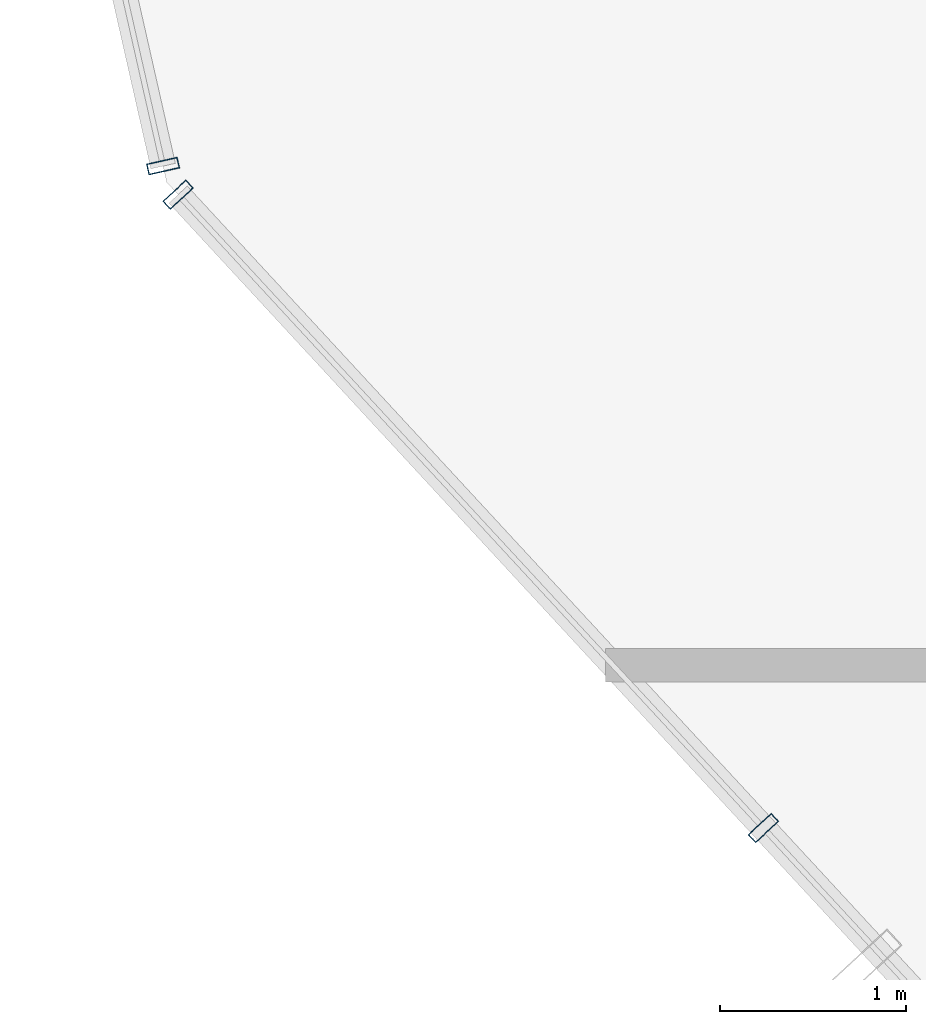
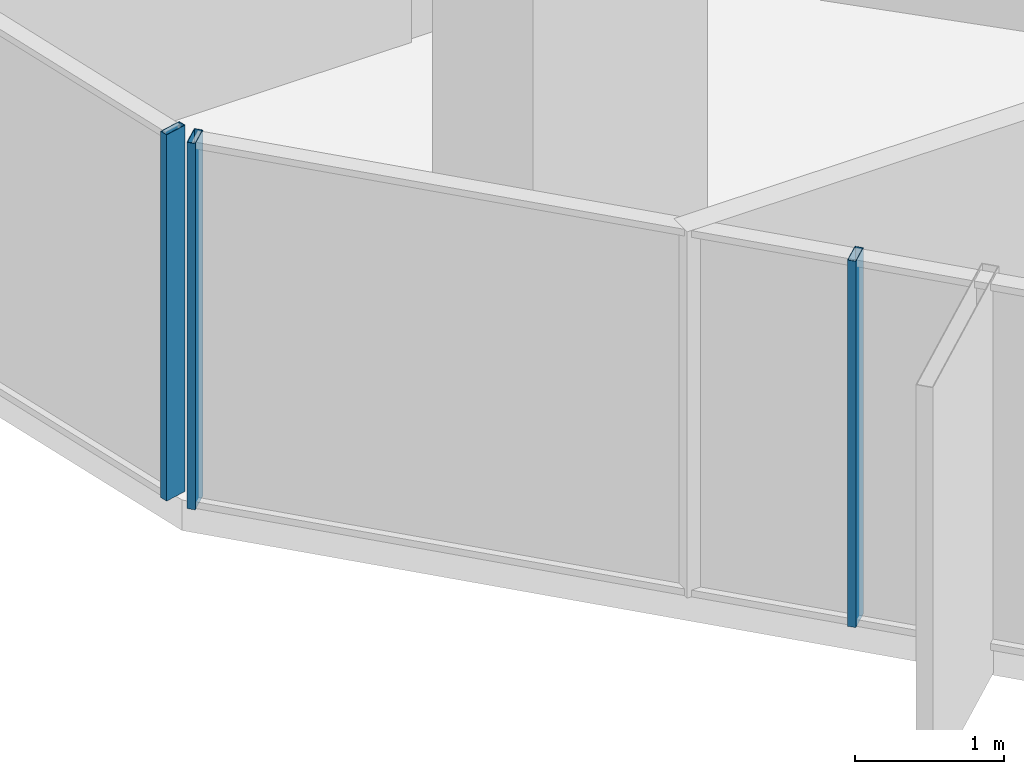
# One storey, part 4 of 39: 3 members, 2 elements without a shape of their own.
"""IFC4 building model written with IfcOpenShell, lengths in metres."""

import ifcopenshell
import ifcopenshell.guid

model = None  # the IFC model being written
_history = None  # IfcOwnerHistory: only IFC2X3 demands one
_inside = {}  # id of a spatial element -> (the spatial element, [elements in it])
_under = {}  # id of a project, library or spatial element -> (it, [spatial elements below it])
_declared = {}  # id of a project -> (the project, [libraries it declares])
_typed = {}  # id of a type object -> (the type object, [elements of that type])
_made_of = {}  # id of a material, layer set ... -> (it, [elements and type objects made of it])


def new_model(schema):
    """Start an empty IFC model of exactly this schema.

    Asked for "IFC4X3", IfcOpenShell would pick the latest addendum, in which some entities
    have other attributes; the version numbers below select the first issue.
    IFC2X3 requires an IfcOwnerHistory on every rooted entity: one is made here for all.
    """
    global model, _history
    if schema == "IFC4X3":
        model = ifcopenshell.file(schema_version=(4, 3, 0, 0))
    else:
        model = ifcopenshell.file(schema=schema)
    _inside.clear()
    _under.clear()
    _declared.clear()
    _typed.clear()
    _made_of.clear()
    _history = None
    if model.schema == "IFC2X3":
        org = make("IfcOrganization", Name="unknown")
        user = make(
            "IfcPersonAndOrganization",
            ThePerson=make("IfcPerson", FamilyName="unknown"),
            TheOrganization=org,
        )
        app = make(
            "IfcApplication",
            ApplicationDeveloper=org,
            Version="unknown",
            ApplicationFullName="unknown",
            ApplicationIdentifier="unknown",
        )
        _history = make(
            "IfcOwnerHistory",
            OwningUser=user,
            OwningApplication=app,
            ChangeAction="ADDED",
            CreationDate=0,
        )
    return model


def make(cls, **values):
    """One entity of the class cls with the attributes given. An attribute that is None is left unset."""
    return model.create_entity(
        cls, **{name: value for name, value in values.items() if value is not None}
    )


def rooted(cls, **values):
    """An entity with a GlobalId (a new one), such as an element, a storey or a relation."""
    return make(cls, GlobalId=ifcopenshell.guid.new(), OwnerHistory=_history, **values)


def si_unit(unit_type, name, prefix=None):
    """IfcSIUnit, for example si_unit("LENGTHUNIT", "METRE", prefix="MILLI")."""
    return make("IfcSIUnit", UnitType=unit_type, Prefix=prefix, Name=name)


def assignment(units):
    """IfcUnitAssignment: the units of a project."""
    return None if units is None else make("IfcUnitAssignment", Units=units)


def point(xyz):
    """IfcCartesianPoint."""
    return None if xyz is None else make("IfcCartesianPoint", Coordinates=xyz)


def direction(xyz):
    """IfcDirection."""
    return None if xyz is None else make("IfcDirection", DirectionRatios=xyz)


def frame(location, z_axis=None, x_axis=None):
    """IfcAxis2Placement3D, a coordinate frame: its origin and axes. An axis left out is left unset."""
    return make(
        "IfcAxis2Placement3D",
        Location=point(location),
        Axis=direction(z_axis),
        RefDirection=direction(x_axis),
    )


def frame_2d(location, x_axis=None):
    """IfcAxis2Placement2D, a coordinate frame in the plane: its origin and x axis."""
    return make(
        "IfcAxis2Placement2D", Location=point(location), RefDirection=direction(x_axis)
    )


def origin():
    """The frame at (0, 0, 0) with its axes left unset."""
    return frame((0.0, 0.0, 0.0))


def origin_2d():
    """The frame at (0, 0) in the plane with its x axis left unset."""
    return frame_2d((0.0, 0.0))


def place(relative_to, where):
    """IfcLocalPlacement: puts the frame where relative to a parent placement (None: the world)."""
    return make(
        "IfcLocalPlacement", PlacementRelTo=relative_to, RelativePlacement=where
    )


def context(
    kind, dimensions, precision=None, world=None, true_north=None, identifier=None
):
    """IfcGeometricRepresentationContext, for example the 3D "Model" context."""
    return make(
        "IfcGeometricRepresentationContext",
        ContextIdentifier=identifier,
        ContextType=kind,
        CoordinateSpaceDimension=dimensions,
        Precision=precision,
        WorldCoordinateSystem=world,
        TrueNorth=true_north,
    )


def subcontext(parent, identifier, kind, view, scale=None):
    """IfcGeometricRepresentationSubContext, for example "Body" below "Model"."""
    return make(
        "IfcGeometricRepresentationSubContext",
        ContextIdentifier=identifier,
        ContextType=kind,
        ParentContext=parent,
        TargetScale=scale,
        TargetView=view,
    )


def project(units=None, contexts=None):
    """IfcProject with its units and contexts."""
    return rooted(
        "IfcProject",
        Name="project",
        RepresentationContexts=contexts,
        UnitsInContext=assignment(units),
    )


def spatial(cls, under=None, at=None, **own):
    """A site, building, storey or space (cls), placed at a placement, below another one or the project."""
    s = rooted(cls, ObjectPlacement=at, **own)
    if under is not None:
        _under.setdefault(under.id(), (under, []))[1].append(s)
    return s


def profile(cls, at=None, kind="AREA", **sizes):
    """A parametric profile (cls). Its sizes go by their IFC names, for example OverallWidth=200.0."""
    return make(cls, ProfileType=kind, Position=at, **sizes)


def hollow_rectangle(**sizes):
    """IfcRectangleHollowProfileDef."""
    return profile("IfcRectangleHollowProfileDef", **sizes)


def extrude(swept, where, along, depth):
    """IfcExtrudedAreaSolid: the profile swept, set in the frame where, extruded along a direction by depth."""
    return make(
        "IfcExtrudedAreaSolid",
        SweptArea=swept,
        Position=where,
        ExtrudedDirection=direction(along),
        Depth=depth,
    )


def shape(context_of_items, identifier, shape_type, items):
    """IfcShapeRepresentation: the items that make up one representation, for example the "Body"."""
    return make(
        "IfcShapeRepresentation",
        ContextOfItems=context_of_items,
        RepresentationIdentifier=identifier,
        RepresentationType=shape_type,
        Items=items,
    )


def source(mapping_origin, context_of_items, identifier, shape_type, items):
    """IfcRepresentationMap: a shape defined once, which mapped items show again and again."""
    return make(
        "IfcRepresentationMap",
        MappingOrigin=mapping_origin,
        MappedRepresentation=shape(context_of_items, identifier, shape_type, items),
    )


def transform(
    local_origin,
    x_axis=None,
    y_axis=None,
    z_axis=None,
    scale=None,
    scale2=None,
    scale3=None,
    uniform=True,
):
    """IfcCartesianTransformationOperator3D, or its non-uniform kind. x_axis, y_axis, z_axis: its Axis1, 2, 3."""
    if uniform:
        return make(
            "IfcCartesianTransformationOperator3D",
            Axis1=direction(x_axis),
            Axis2=direction(y_axis),
            LocalOrigin=point(local_origin),
            Scale=scale,
            Axis3=direction(z_axis),
        )
    return make(
        "IfcCartesianTransformationOperator3DnonUniform",
        Axis1=direction(x_axis),
        Axis2=direction(y_axis),
        LocalOrigin=point(local_origin),
        Scale=scale,
        Axis3=direction(z_axis),
        Scale2=scale2,
        Scale3=scale3,
    )


def mapped(mapping_source, mapping_target):
    """IfcMappedItem: shows the shape of a source again, moved by a transform."""
    return make(
        "IfcMappedItem", MappingSource=mapping_source, MappingTarget=mapping_target
    )


def material(Name=None, Category=None):
    """IfcMaterial."""
    return make("IfcMaterial", Name=Name, Category=Category)


def layer(
    of_material, thickness, ventilated=None, Name=None, Category=None, Priority=None
):
    """IfcMaterialLayer: one layer of a wall or slab, of a material (None: an air gap)."""
    return make(
        "IfcMaterialLayer",
        Material=of_material,
        LayerThickness=thickness,
        IsVentilated=ventilated,
        Name=Name,
        Category=Category,
        Priority=Priority,
    )


def layer_set(layers, Name=None):
    """IfcMaterialLayerSet."""
    return make("IfcMaterialLayerSet", MaterialLayers=layers, LayerSetName=Name)


def material_profile(
    of_material, cross_section, Name=None, Category=None, Priority=None
):
    """IfcMaterialProfile: a cross section and its material."""
    return make(
        "IfcMaterialProfile",
        Name=Name,
        Material=of_material,
        Profile=cross_section,
        Priority=Priority,
        Category=Category,
    )


def profile_set(profiles, Name=None, composite=None):
    """IfcMaterialProfileSet."""
    return make(
        "IfcMaterialProfileSet",
        Name=Name,
        MaterialProfiles=profiles,
        CompositeProfile=composite,
    )


def made_of(thing, what):
    """Note that an element or type object is made of a material, layer set ...; save() writes the relation."""
    if what is not None:
        _made_of.setdefault(what.id(), (what, []))[1].append(thing)
    return thing


def type_object(cls, material=None, **own):
    """A type object (cls), such as IfcWallType, which elements share."""
    return made_of(rooted(cls, **own), material)


def element(
    cls,
    number,
    at=None,
    inside=None,
    cuts=None,
    type_object=None,
    material=None,
    context=None,
    identifier="Body",
    shape_type=None,
    held_by="IfcProductDefinitionShape",
    body=None,
    shapes=None,
    **own,
):
    """One element of the class cls, such as IfcWall. Its Tag is "e" and its number.

    at: its placement. inside: the storey or other place that contains it. cuts: it is an
    opening in that element (IfcRelVoidsElement). A single representation is given by context,
    identifier, shape_type and body (its items); several are given by shapes. held_by: the class
    of the entity that holds the representations. save() writes the other relations.
    """
    e = rooted(cls, Tag="e%d" % number, ObjectPlacement=at, **own)
    if body is not None:
        shapes = [shape(context, identifier, shape_type, body)]
    if shapes is not None:
        e.Representation = make(held_by, Representations=shapes)
    if inside is not None:
        _inside.setdefault(inside.id(), (inside, []))[1].append(e)
    if cuts is not None:
        rooted(
            "IfcRelVoidsElement", RelatingBuildingElement=cuts, RelatedOpeningElement=e
        )
    if type_object is not None:
        _typed.setdefault(type_object.id(), (type_object, []))[1].append(e)
    return made_of(e, material)


def aggregate(whole, parts):
    """IfcRelAggregates: a whole, such as a stair, and the parts it consists of."""
    return rooted("IfcRelAggregates", RelatingObject=whole, RelatedObjects=parts)


def save(model, path):
    """Write the relations noted so far, then the file.

    IfcRelAggregates (storeys below a building ...), IfcRelContainedInSpatialStructure (elements
    in a storey), IfcRelDefinesByType, IfcRelAssociatesMaterial and IfcRelDeclares: one each for
    every whole, place, type object, material and project.
    """
    for whole, parts in _under.values():
        aggregate(whole, parts)
    for where, things in _inside.values():
        rooted(
            "IfcRelContainedInSpatialStructure",
            RelatedElements=things,
            RelatingStructure=where,
        )
    for kind, things in _typed.values():
        rooted("IfcRelDefinesByType", RelatedObjects=things, RelatingType=kind)
    for what, things in _made_of.values():
        rooted("IfcRelAssociatesMaterial", RelatedObjects=things, RelatingMaterial=what)
    for by, libraries in _declared.values():
        rooted("IfcRelDeclares", RelatingContext=by, RelatedDefinitions=libraries)
    model.write(path)


model = new_model("IFC4")

# Units and contexts
model_context = context("Model", 3, precision=1e-05, world=origin(), true_north=direction((0.0, 1.0)))
body_context = subcontext(model_context, "Body", "Model", "MODEL_VIEW")
ifc_project = project(units=[si_unit("LENGTHUNIT", "METRE"), si_unit("AREAUNIT", "SQUARE_METRE"), si_unit("VOLUMEUNIT", "CUBIC_METRE"), si_unit("PLANEANGLEUNIT", "RADIAN"), si_unit("MASSUNIT", "GRAM", prefix="KILO")], contexts=[model_context])

# Site, building, storey
site_placement = place(None, origin())
site = spatial("IfcSite", under=ifc_project, at=site_placement, CompositionType="ELEMENT")
building_placement = place(site_placement, origin())
building = spatial("IfcBuilding", under=site, at=building_placement, Name="Veraguas Prism Commons", CompositionType="ELEMENT")
storey_placement = place(building_placement, frame((0.0, 0.0, 67.35009765625)))
storey = spatial("IfcBuildingStorey", under=building, at=storey_placement, Name="L18", CompositionType="ELEMENT", Elevation=67.35009765625)

# Curtain wall, members
ifc_material = material(Name="Anodised aluminium EN AW-6063 T6", Category="aluminium")
ifc_layer = layer(ifc_material, 0.169921875, Name="Unitised Flush Curtain Wall Zone 1", Category="aluminium")
ifc_layer_set = layer_set([ifc_layer], Name="Anodised aluminium EN AW-6063 T6")
curtain_wall_type = type_object("IfcCurtainWallType", Name="Unitised Flush Curtain Wall Zone 1", PredefinedType="NOTDEFINED", material=ifc_layer_set)
curtain_wall_1_placement = place(storey_placement, origin())
curtain_wall_1 = element("IfcCurtainWall", 1, at=curtain_wall_1_placement, inside=storey, type_object=curtain_wall_type, Name="Tower Facade Curtain Wall L18-F4", PredefinedType="NOTDEFINED")
ifc_material_profile = material_profile(ifc_material, hollow_rectangle(XDim=0.06005859375, YDim=0.169921875, WallThickness=0.00390625, at=origin_2d()), Name="AL60X170X4")
ifc_profile_set = profile_set([ifc_material_profile], Name="Anodised aluminium EN AW-6063 T6")
member_type = type_object("IfcMemberType", Name="Curtain Wall Mullion Lower AL 60x170x4", PredefinedType="MULLION", material=ifc_profile_set)
shared_shape = source(origin(), body_context, "Body", "SweptSolid", [
    extrude(hollow_rectangle(XDim=0.06005859375, YDim=0.169921875, WallThickness=0.00390625, at=origin_2d()), origin(), (0.0, 0.0, 1.0), 3.0),
])
member_1_placement = place(storey_placement, frame((2.4150390625, 16.733154296875, 0.0), z_axis=(0.0, 0.0, 1.0), x_axis=(0.678677699088, -0.734436233284, 0.0)))
member_1 = element("IfcMember", 2, at=member_1_placement, type_object=member_type, Name="CW-Z1 Mullion 1", PredefinedType="MULLION", context=body_context, shape_type="MappedRepresentation", body=[
    mapped(shared_shape, transform((0.0, 0.0, 0.0), scale=1.0)),
])
member_2_placement = place(storey_placement, frame((5.56494140625, 13.324462890625, 0.0), z_axis=(0.0, 0.0, 1.0), x_axis=(0.678677699088, -0.734436233284, 0.0)))
member_2 = element("IfcMember", 3, at=member_2_placement, type_object=member_type, Name="CW-Z1 Mullion 2", PredefinedType="MULLION", context=body_context, shape_type="MappedRepresentation", body=[
    mapped(shared_shape, transform((0.0, 0.0, 0.0), scale=1.0)),
])
aggregate(curtain_wall_1, [member_1, member_2])

# Curtain wall, member
curtain_wall_2_placement = place(storey_placement, origin())
curtain_wall_2 = element("IfcCurtainWall", 4, at=curtain_wall_2_placement, inside=storey, type_object=curtain_wall_type, Name="Chamfer Curtain Wall L18-C4", PredefinedType="NOTDEFINED")
member_3_placement = place(storey_placement, frame((2.334228515625, 16.886962890625, 0.0), z_axis=(0.0, 0.0, 1.0), x_axis=(0.22054592824, -0.975376590624, 0.0)))
member_3 = element("IfcMember", 5, at=member_3_placement, type_object=member_type, Name="CW-Z1 Mullion 2", PredefinedType="MULLION", context=body_context, shape_type="MappedRepresentation", body=[
    mapped(shared_shape, transform((0.0, 0.0, 0.0), scale=1.0)),
])
aggregate(curtain_wall_2, [member_3])

save(model, "model.ifc")
